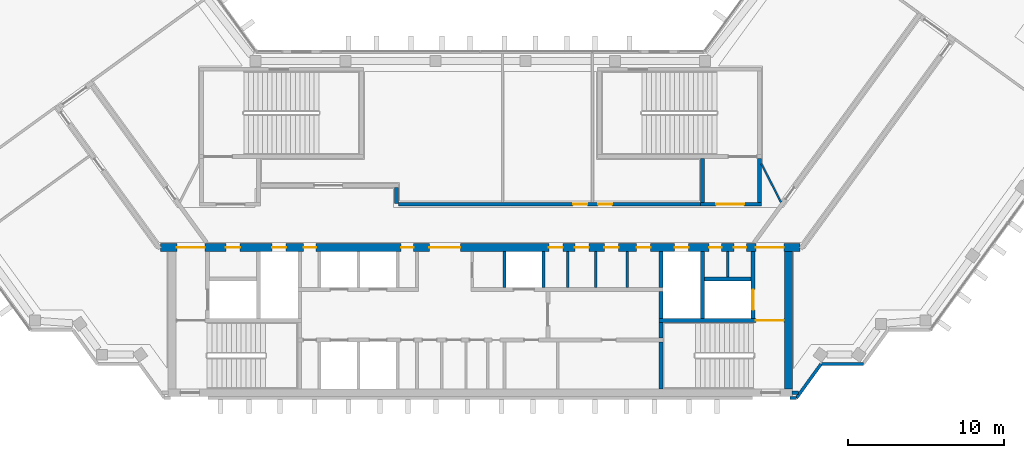
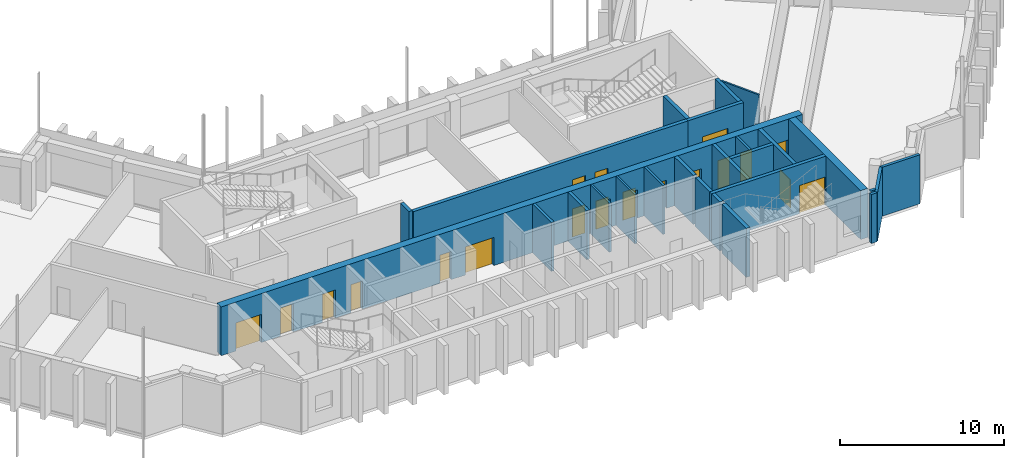
# One storey, part 10 of 13: 26 walls, 19 doors, 19 openings.
"""IFC4 building model written with IfcOpenShell, lengths in metres."""

from ifc_helpers import new_model, si_unit, direction, frame, frame_2d, origin, place, context, subcontext, project, spatial, rectangle, extrude, material, layer, layer_set, type_object, element, fill, save


model = new_model("IFC4")

# Units and contexts
model_context = context("Model", 3, precision=1e-05, world=origin(), true_north=direction((0.0, 1.0)))
body_context = subcontext(model_context, "Body", "Model", "MODEL_VIEW")
ifc_project = project(units=[si_unit("LENGTHUNIT", "METRE"), si_unit("AREAUNIT", "SQUARE_METRE"), si_unit("VOLUMEUNIT", "CUBIC_METRE"), si_unit("PLANEANGLEUNIT", "RADIAN"), si_unit("MASSUNIT", "GRAM", prefix="KILO")], contexts=[model_context])

# Site, building, storey
site_placement = place(None, origin())
site = spatial("IfcSite", under=ifc_project, at=site_placement, CompositionType="ELEMENT")
building_placement = place(site_placement, origin())
building = spatial("IfcBuilding", under=site, at=building_placement, Name="Quipu Civic Tower", CompositionType="ELEMENT")
storey_placement = place(building_placement, frame((0.0, 0.0, 285.0)))
storey = spatial("IfcBuildingStorey", under=building, at=storey_placement, Name="L66", CompositionType="ELEMENT", Elevation=285.0)

# Walls
ifc_material_1 = material(Name="Concrete C70/85", Category="concrete")
ifc_layer_1 = layer(ifc_material_1, 0.25)
ifc_layer_set_1 = layer_set([ifc_layer_1], Name="Concrete C70/85")
wall_type_1 = type_object("IfcWallType", Name="Core wall 250", PredefinedType="SHEAR", material=ifc_layer_set_1)
wall_1_placement = place(storey_placement, frame((11.574951171875, -10.5, 0.0), z_axis=(0.0, 0.0, 1.0), x_axis=(0.0, 1.0, 0.0)))
element("IfcWall", 1, at=wall_1_placement, inside=storey, type_object=wall_type_1, Name="Core wall", PredefinedType="SHEAR", context=body_context, shape_type="SweptSolid", body=[
    extrude(rectangle(XDim=3.0, YDim=0.25, at=frame_2d((1.5, 0.0))), origin(), (0.0, 0.0, 1.0), 3.64990234375),
])
wall_2_placement = place(storey_placement, frame((11.574951171875, -7.25, 0.0), z_axis=(0.0, 0.0, 1.0), x_axis=(0.0, 1.0, 0.0)))
element("IfcWall", 2, at=wall_2_placement, inside=storey, type_object=wall_type_1, Name="Core wall", PredefinedType="SHEAR", context=body_context, shape_type="SweptSolid", body=[
    extrude(rectangle(XDim=1.0, YDim=0.25, at=frame_2d((0.5, 0.0))), origin(), (0.0, 0.0, 1.0), 3.64990234375),
])

# Wall, opening, door
wall_3_placement = place(storey_placement, frame((19.5, -6.125, 0.0), z_axis=(0.0, 0.0, 1.0), x_axis=(-1.0, 0.0, 0.0)))
wall_3 = element("IfcWall", 3, at=wall_3_placement, inside=storey, type_object=wall_type_1, Name="Core wall", PredefinedType="SHEAR", context=body_context, shape_type="SweptSolid", body=[
    extrude(rectangle(XDim=8.050048828125, YDim=0.25, at=frame_2d((4.02490234375, 0.0))), origin(), (0.0, 0.0, 1.0), 3.64990234375),
])
opening_1_placement = place(wall_3_placement, frame((0.050048828125, 0.0, 0.0)))
opening_1 = element("IfcOpeningElement", 4, at=opening_1_placement, cuts=wall_3, Name="Opening CD-10", PredefinedType="OPENING", context=body_context, shape_type="SweptSolid", body=[
    extrude(rectangle(XDim=1.800048828125, YDim=2.10009765625, at=frame_2d((0.89990234375, 1.050048828125))), frame((0.0, 0.135009765625, 0.0), z_axis=(0.0, -1.0, 0.0), x_axis=(1.0, 0.0, 0.0)), (0.0, 0.0, 1.0), 0.27001953125),
])
ifc_material_2 = material(Name="Fire rated steel door", Category="steel")
door_type_1 = type_object("IfcDoorType", Name="Fire door FD90 double 1800 x 2100", OperationType="NOTDEFINED", PredefinedType="DOOR", material=ifc_material_2)
door_1_placement = place(opening_1_placement, origin())
door_1 = element("IfcDoor", 5, at=door_1_placement, inside=storey, type_object=door_type_1, Name="Door", OperationType="DOUBLE_DOOR_SINGLE_SWING", OverallHeight=2.10009765625, OverallWidth=1.800048828125, PredefinedType="DOOR", context=body_context, shape_type="SweptSolid", body=[
    extrude(rectangle(XDim=1.800048828125, YDim=2.10009765625, at=frame_2d((0.89990234375, 1.050048828125))), frame((0.0, 0.02490234375, 0.0), z_axis=(0.0, -1.0, 0.0), x_axis=(1.0, 0.0, 0.0)), (0.0, 0.0, 1.0), 0.050048828125),
])
fill(opening_1, door_1)

# Walls
wall_4_placement = place(storey_placement, frame((11.574951171875, -6.0, 0.0), z_axis=(0.0, 0.0, 1.0), x_axis=(0.0, 1.0, 0.0)))
element("IfcWall", 6, at=wall_4_placement, inside=storey, type_object=wall_type_1, Name="Core wall", PredefinedType="SHEAR", context=body_context, shape_type="SweptSolid", body=[
    extrude(rectangle(XDim=1.75, YDim=0.25, at=frame_2d((0.875, 0.0))), origin(), (0.0, 0.0, 1.0), 3.64990234375),
])
wall_5_placement = place(storey_placement, frame((14.22509765625, -6.0, 0.0), z_axis=(0.0, 0.0, 1.0), x_axis=(0.0, 1.0, 0.0)))
element("IfcWall", 7, at=wall_5_placement, inside=storey, type_object=wall_type_1, Name="Core wall", PredefinedType="SHEAR", context=body_context, shape_type="SweptSolid", body=[
    extrude(rectangle(XDim=4.300048828125, YDim=0.25, at=frame_2d((2.14990234375, 0.0))), origin(), (0.0, 0.0, 1.0), 3.64990234375),
])

# Wall, opening, door
wall_6_placement = place(storey_placement, frame((17.47509765625, -6.0, 0.0), z_axis=(0.0, 0.0, 1.0), x_axis=(0.0, 1.0, 0.0)))
wall_6 = element("IfcWall", 8, at=wall_6_placement, inside=storey, type_object=wall_type_1, Name="Core wall", PredefinedType="SHEAR", context=body_context, shape_type="SweptSolid", body=[
    extrude(rectangle(XDim=4.300048828125, YDim=0.25, at=frame_2d((2.14990234375, 0.0))), origin(), (0.0, 0.0, 1.0), 3.64990234375),
])
opening_2_placement = place(wall_6_placement, frame((0.550048828125, 0.0, 0.0)))
opening_2 = element("IfcOpeningElement", 9, at=opening_2_placement, cuts=wall_6, Name="Opening LD-FF2", PredefinedType="OPENING", context=body_context, shape_type="SweptSolid", body=[
    extrude(rectangle(XDim=1.300048828125, YDim=2.10009765625, at=frame_2d((0.64990234375, 1.050048828125))), frame((0.0, 0.135009765625, 0.0), z_axis=(0.0, -1.0, 0.0), x_axis=(1.0, 0.0, 0.0)), (0.0, 0.0, 1.0), 0.27001953125),
])
ifc_material_3 = material(Name="Stainless steel", Category="steel")
door_type_2 = type_object("IfcDoorType", Name="Lift landing door 1300 x 2100", OperationType="DOUBLE_DOOR_SLIDING", PredefinedType="DOOR", material=ifc_material_3)
door_2_placement = place(opening_2_placement, origin())
door_2 = element("IfcDoor", 10, at=door_2_placement, inside=storey, type_object=door_type_2, Name="Landing door FF2", OperationType="DOUBLE_DOOR_SLIDING", OverallHeight=2.10009765625, OverallWidth=1.300048828125, PredefinedType="DOOR", context=body_context, shape_type="SweptSolid", body=[
    extrude(rectangle(XDim=1.300048828125, YDim=2.10009765625, at=frame_2d((0.64990234375, 1.050048828125))), frame((0.0, 0.02490234375, 0.0), z_axis=(0.0, -1.0, 0.0), x_axis=(1.0, 0.0, 0.0)), (0.0, 0.0, 1.0), 0.050048828125),
])
fill(opening_2, door_2)

# Walls
wall_7_placement = place(storey_placement, frame((11.574951171875, -4.0, 0.0), z_axis=(0.0, 0.0, 1.0), x_axis=(0.0, 1.0, 0.0)))
element("IfcWall", 11, at=wall_7_placement, inside=storey, type_object=wall_type_1, Name="Core wall", PredefinedType="SHEAR", context=body_context, shape_type="SweptSolid", body=[
    extrude(rectangle(XDim=2.300048828125, YDim=0.25, at=frame_2d((1.14990234375, 0.0))), origin(), (0.0, 0.0, 1.0), 3.64990234375),
])
wall_8_placement = place(storey_placement, frame((14.35009765625, -3.47509765625, 0.0), z_axis=(0.0, 0.0, 1.0), x_axis=(1.0, 0.0, 0.0)))
element("IfcWall", 12, at=wall_8_placement, inside=storey, type_object=wall_type_1, Name="Core wall", PredefinedType="SHEAR", context=body_context, shape_type="SweptSolid", body=[
    extrude(rectangle(XDim=3.0, YDim=0.25, at=frame_2d((1.5, 0.0))), origin(), (0.0, 0.0, 1.0), 3.64990234375),
])

# Wall, opening, door
wall_9_placement = place(storey_placement, frame((14.10009765625, 1.324951171875, 0.0), z_axis=(0.0, 0.0, 1.0), x_axis=(1.0, 0.0, 0.0)))
wall_9 = element("IfcWall", 13, at=wall_9_placement, inside=storey, type_object=wall_type_1, Name="Core wall", PredefinedType="SHEAR", context=body_context, shape_type="SweptSolid", body=[
    extrude(rectangle(XDim=3.89990234375, YDim=0.25, at=frame_2d((1.949951171875, 0.0))), origin(), (0.0, 0.0, 1.0), 3.64990234375),
])
opening_3_placement = place(wall_9_placement, frame((1.0, 0.0, 0.0)))
opening_3 = element("IfcOpeningElement", 14, at=opening_3_placement, cuts=wall_9, Name="Opening CD-29", PredefinedType="OPENING", context=body_context, shape_type="SweptSolid", body=[
    extrude(rectangle(XDim=1.800048828125, YDim=2.10009765625, at=frame_2d((0.89990234375, 1.050048828125))), frame((0.0, 0.135009765625, 0.0), z_axis=(0.0, -1.0, 0.0), x_axis=(1.0, 0.0, 0.0)), (0.0, 0.0, 1.0), 0.27001953125),
])
door_3_placement = place(opening_3_placement, origin())
door_3 = element("IfcDoor", 15, at=door_3_placement, inside=storey, type_object=door_type_1, Name="Lobby door", OperationType="DOUBLE_DOOR_SINGLE_SWING", OverallHeight=2.10009765625, OverallWidth=1.800048828125, PredefinedType="DOOR", context=body_context, shape_type="SweptSolid", body=[
    extrude(rectangle(XDim=1.800048828125, YDim=2.10009765625, at=frame_2d((0.89990234375, 1.050048828125))), frame((0.0, 0.02490234375, 0.0), z_axis=(0.0, -1.0, 0.0), x_axis=(1.0, 0.0, 0.0)), (0.0, 0.0, 1.0), 0.050048828125),
])
fill(opening_3, door_3)

# Walls
for number, where, z_axis, x_axis, name in (
    (16, (14.22509765625, 1.449951171875, 0.0), (0.0, 0.0, 1.0), (0.0, 1.0, 0.0), "Core wall"),
    (17, (17.875, 1.449951171875, 0.0), (0.0, 0.0, 1.0), (0.0, 1.0, 0.0), "Core wall"),
):
    element("IfcWall", number, at=place(storey_placement, frame(where, z_axis=z_axis, x_axis=x_axis)), inside=storey, type_object=wall_type_1, Name=name, PredefinedType="SHEAR", context=body_context, shape_type="SweptSolid", body=[
        extrude(rectangle(XDim=2.800048828125, YDim=0.25, at=frame_2d((1.39990234375, 0.0))), origin(), (0.0, 0.0, 1.0), 3.64990234375),
    ])
ifc_material_4 = material(Name="Concrete C70/85", Category="concrete")
ifc_layer_2 = layer(ifc_material_4, 0.5)
ifc_layer_set_2 = layer_set([ifc_layer_2], Name="Concrete C70/85")
wall_type_2 = type_object("IfcWallType", Name="Core wall 500", PredefinedType="SHEAR", material=ifc_layer_set_2)
wall_10_placement = place(storey_placement, frame((19.75, -10.5, 0.0), z_axis=(0.0, 0.0, 1.0), x_axis=(0.0, 1.0, 0.0)))
element("IfcWall", 18, at=wall_10_placement, inside=storey, type_object=wall_type_2, Name="Core wall", PredefinedType="SHEAR", context=body_context, shape_type="SweptSolid", body=[
    extrude(rectangle(XDim=8.800048828125, YDim=0.5, at=frame_2d((4.39990234375, 0.0))), origin(), (0.0, 0.0, 1.0), 3.64990234375),
])

# Wall, openings, doors
wall_11_placement = place(storey_placement, frame((20.489990234375, -1.449951171875, 0.0), z_axis=(0.0, 0.0, 1.0), x_axis=(-1.0, 0.0, 0.0)))
wall_11 = element("IfcWall", 19, at=wall_11_placement, inside=storey, type_object=wall_type_2, Name="Core wall", PredefinedType="SHEAR", context=body_context, shape_type="SweptSolid", body=[
    extrude(rectangle(XDim=40.97998046875, YDim=0.5, at=frame_2d((20.489990234375, 0.0))), origin(), (0.0, 0.0, 1.0), 3.64990234375),
])
opening_4_placement = place(wall_11_placement, frame((38.139892578125, 0.0, 0.0)))
opening_4 = element("IfcOpeningElement", 20, at=opening_4_placement, cuts=wall_11, Name="Opening CD-13", PredefinedType="OPENING", context=body_context, shape_type="SweptSolid", body=[
    extrude(rectangle(XDim=1.800048828125, YDim=2.10009765625, at=frame_2d((0.89990234375, 1.050048828125))), frame((0.0, 0.260009765625, 0.0), z_axis=(0.0, -1.0, 0.0), x_axis=(1.0, 0.0, 0.0)), (0.0, 0.0, 1.0), 0.52001953125),
])
opening_5_placement = place(wall_11_placement, frame((35.889892578125, 0.0, 0.0)))
opening_5 = element("IfcOpeningElement", 21, at=opening_5_placement, cuts=wall_11, Name="Opening CD-14", PredefinedType="OPENING", context=body_context, shape_type="SweptSolid", body=[
    extrude(rectangle(XDim=0.89990234375, YDim=2.10009765625, at=frame_2d((0.449951171875, 1.050048828125))), frame((0.0, 0.260009765625, 0.0), z_axis=(0.0, -1.0, 0.0), x_axis=(1.0, 0.0, 0.0)), (0.0, 0.0, 1.0), 0.52001953125),
])
opening_6_placement = place(wall_11_placement, frame((32.93994140625, 0.0, 0.0)))
opening_6 = element("IfcOpeningElement", 22, at=opening_6_placement, cuts=wall_11, Name="Opening CD-15", PredefinedType="OPENING", context=body_context, shape_type="SweptSolid", body=[
    extrude(rectangle(XDim=0.89990234375, YDim=2.10009765625, at=frame_2d((0.449951171875, 1.050048828125))), frame((0.0, 0.260009765625, 0.0), z_axis=(0.0, -1.0, 0.0), x_axis=(1.0, 0.0, 0.0)), (0.0, 0.0, 1.0), 0.52001953125),
])
opening_7_placement = place(wall_11_placement, frame((31.014892578125, 0.0, 0.0)))
opening_7 = element("IfcOpeningElement", 23, at=opening_7_placement, cuts=wall_11, Name="Opening CD-16", PredefinedType="OPENING", context=body_context, shape_type="SweptSolid", body=[
    extrude(rectangle(XDim=0.800048828125, YDim=2.10009765625, at=frame_2d((0.39990234375, 1.050048828125))), frame((0.0, 0.260009765625, 0.0), z_axis=(0.0, -1.0, 0.0), x_axis=(1.0, 0.0, 0.0)), (0.0, 0.0, 1.0), 0.52001953125),
])
opening_8_placement = place(wall_11_placement, frame((24.764892578125, 0.0, 0.0)))
opening_8 = element("IfcOpeningElement", 24, at=opening_8_placement, cuts=wall_11, Name="Opening CD-17", PredefinedType="OPENING", context=body_context, shape_type="SweptSolid", body=[
    extrude(rectangle(XDim=0.800048828125, YDim=2.10009765625, at=frame_2d((0.39990234375, 1.050048828125))), frame((0.0, 0.260009765625, 0.0), z_axis=(0.0, -1.0, 0.0), x_axis=(1.0, 0.0, 0.0)), (0.0, 0.0, 1.0), 0.52001953125),
])
opening_9_placement = place(wall_11_placement, frame((21.764892578125, 0.0, 0.0)))
opening_9 = element("IfcOpeningElement", 25, at=opening_9_placement, cuts=wall_11, Name="Opening CD-18", PredefinedType="OPENING", context=body_context, shape_type="SweptSolid", body=[
    extrude(rectangle(XDim=2.0, YDim=2.10009765625, at=frame_2d((1.0, 1.050048828125))), frame((0.0, 0.260009765625, 0.0), z_axis=(0.0, -1.0, 0.0), x_axis=(1.0, 0.0, 0.0)), (0.0, 0.0, 1.0), 0.52001953125),
])
opening_10_placement = place(wall_11_placement, frame((15.202392578125, 0.0, 0.0)))
opening_10 = element("IfcOpeningElement", 26, at=opening_10_placement, cuts=wall_11, Name="Opening CD-19", PredefinedType="OPENING", context=body_context, shape_type="SweptSolid", body=[
    extrude(rectangle(XDim=0.89990234375, YDim=2.10009765625, at=frame_2d((0.449951171875, 1.050048828125))), frame((0.0, 0.260009765625, 0.0), z_axis=(0.0, -1.0, 0.0), x_axis=(1.0, 0.0, 0.0)), (0.0, 0.0, 1.0), 0.52001953125),
])
opening_11_placement = place(wall_11_placement, frame((13.5400390625, 0.0, 0.0)))
opening_11 = element("IfcOpeningElement", 27, at=opening_11_placement, cuts=wall_11, Name="Opening CD-20", PredefinedType="OPENING", context=body_context, shape_type="SweptSolid", body=[
    extrude(rectangle(XDim=0.89990234375, YDim=2.10009765625, at=frame_2d((0.449951171875, 1.050048828125))), frame((0.0, 0.260009765625, 0.0), z_axis=(0.0, -1.0, 0.0), x_axis=(1.0, 0.0, 0.0)), (0.0, 0.0, 1.0), 0.52001953125),
])
opening_12_placement = place(wall_11_placement, frame((11.639892578125, 0.0, 0.0)))
opening_12 = element("IfcOpeningElement", 28, at=opening_12_placement, cuts=wall_11, Name="Opening CD-21", PredefinedType="OPENING", context=body_context, shape_type="SweptSolid", body=[
    extrude(rectangle(XDim=0.89990234375, YDim=2.10009765625, at=frame_2d((0.449951171875, 1.050048828125))), frame((0.0, 0.260009765625, 0.0), z_axis=(0.0, -1.0, 0.0), x_axis=(1.0, 0.0, 0.0)), (0.0, 0.0, 1.0), 0.52001953125),
])
opening_13_placement = place(wall_11_placement, frame((9.577392578125, 0.0, 0.0)))
opening_13 = element("IfcOpeningElement", 29, at=opening_13_placement, cuts=wall_11, Name="Opening CD-22", PredefinedType="OPENING", context=body_context, shape_type="SweptSolid", body=[
    extrude(rectangle(XDim=0.89990234375, YDim=2.10009765625, at=frame_2d((0.449951171875, 1.050048828125))), frame((0.0, 0.260009765625, 0.0), z_axis=(0.0, -1.0, 0.0), x_axis=(1.0, 0.0, 0.0)), (0.0, 0.0, 1.0), 0.52001953125),
])
opening_14_placement = place(wall_11_placement, frame((7.139892578125, 0.0, 0.0)))
opening_14 = element("IfcOpeningElement", 30, at=opening_14_placement, cuts=wall_11, Name="Opening CD-23", PredefinedType="OPENING", context=body_context, shape_type="SweptSolid", body=[
    extrude(rectangle(XDim=0.89990234375, YDim=2.10009765625, at=frame_2d((0.449951171875, 1.050048828125))), frame((0.0, 0.260009765625, 0.0), z_axis=(0.0, -1.0, 0.0), x_axis=(1.0, 0.0, 0.0)), (0.0, 0.0, 1.0), 0.52001953125),
])
opening_15_placement = place(wall_11_placement, frame((5.027587890625, 0.0, 0.0)))
opening_15 = element("IfcOpeningElement", 31, at=opening_15_placement, cuts=wall_11, Name="Opening CD-24", PredefinedType="OPENING", context=body_context, shape_type="SweptSolid", body=[
    extrude(rectangle(XDim=0.800048828125, YDim=2.10009765625, at=frame_2d((0.39990234375, 1.050048828125))), frame((0.0, 0.260009765625, 0.0), z_axis=(0.0, -1.0, 0.0), x_axis=(1.0, 0.0, 0.0)), (0.0, 0.0, 1.0), 0.52001953125),
])
opening_16_placement = place(wall_11_placement, frame((3.452392578125, 0.0, 0.0)))
opening_16 = element("IfcOpeningElement", 32, at=opening_16_placement, cuts=wall_11, Name="Opening CD-25", PredefinedType="OPENING", context=body_context, shape_type="SweptSolid", body=[
    extrude(rectangle(XDim=0.800048828125, YDim=2.10009765625, at=frame_2d((0.39990234375, 1.050048828125))), frame((0.0, 0.260009765625, 0.0), z_axis=(0.0, -1.0, 0.0), x_axis=(1.0, 0.0, 0.0)), (0.0, 0.0, 1.0), 0.52001953125),
])
opening_17_placement = place(wall_11_placement, frame((1.0400390625, 0.0, 0.0)))
opening_17 = element("IfcOpeningElement", 33, at=opening_17_placement, cuts=wall_11, Name="Opening CD-26", PredefinedType="OPENING", context=body_context, shape_type="SweptSolid", body=[
    extrude(rectangle(XDim=1.800048828125, YDim=2.10009765625, at=frame_2d((0.89990234375, 1.050048828125))), frame((0.0, 0.260009765625, 0.0), z_axis=(0.0, -1.0, 0.0), x_axis=(1.0, 0.0, 0.0)), (0.0, 0.0, 1.0), 0.52001953125),
])
ifc_material_5 = material(Name="Fire rated steel door", Category="steel")
door_type_3 = type_object("IfcDoorType", Name="Fire door FD60 800 x 2100", OperationType="NOTDEFINED", PredefinedType="DOOR", material=ifc_material_5)
door_4_placement = place(opening_7_placement, origin())
door_4 = element("IfcDoor", 34, at=door_4_placement, inside=storey, type_object=door_type_3, Name="Door", OperationType="SINGLE_SWING_RIGHT", OverallHeight=2.10009765625, OverallWidth=0.800048828125, PredefinedType="DOOR", context=body_context, shape_type="SweptSolid", body=[
    extrude(rectangle(XDim=0.800048828125, YDim=2.10009765625, at=frame_2d((0.39990234375, 1.050048828125))), frame((0.0, 0.02490234375, 0.0), z_axis=(0.0, -1.0, 0.0), x_axis=(1.0, 0.0, 0.0)), (0.0, 0.0, 1.0), 0.050048828125),
])
fill(opening_7, door_4)
door_5_placement = place(opening_8_placement, origin())
door_5 = element("IfcDoor", 35, at=door_5_placement, inside=storey, type_object=door_type_3, Name="Door", OperationType="SINGLE_SWING_RIGHT", OverallHeight=2.10009765625, OverallWidth=0.800048828125, PredefinedType="DOOR", context=body_context, shape_type="SweptSolid", body=[
    extrude(rectangle(XDim=0.800048828125, YDim=2.10009765625, at=frame_2d((0.39990234375, 1.050048828125))), frame((0.0, 0.02490234375, 0.0), z_axis=(0.0, -1.0, 0.0), x_axis=(1.0, 0.0, 0.0)), (0.0, 0.0, 1.0), 0.050048828125),
])
fill(opening_8, door_5)
door_6_placement = place(opening_15_placement, origin())
door_6 = element("IfcDoor", 36, at=door_6_placement, inside=storey, type_object=door_type_3, Name="Door", OperationType="SINGLE_SWING_LEFT", OverallHeight=2.10009765625, OverallWidth=0.800048828125, PredefinedType="DOOR", context=body_context, shape_type="SweptSolid", body=[
    extrude(rectangle(XDim=0.800048828125, YDim=2.10009765625, at=frame_2d((0.39990234375, 1.050048828125))), frame((0.0, 0.02490234375, 0.0), z_axis=(0.0, -1.0, 0.0), x_axis=(1.0, 0.0, 0.0)), (0.0, 0.0, 1.0), 0.050048828125),
])
fill(opening_15, door_6)
door_7_placement = place(opening_16_placement, origin())
door_7 = element("IfcDoor", 37, at=door_7_placement, inside=storey, type_object=door_type_3, Name="Door", OperationType="SINGLE_SWING_LEFT", OverallHeight=2.10009765625, OverallWidth=0.800048828125, PredefinedType="DOOR", context=body_context, shape_type="SweptSolid", body=[
    extrude(rectangle(XDim=0.800048828125, YDim=2.10009765625, at=frame_2d((0.39990234375, 1.050048828125))), frame((0.0, 0.02490234375, 0.0), z_axis=(0.0, -1.0, 0.0), x_axis=(1.0, 0.0, 0.0)), (0.0, 0.0, 1.0), 0.050048828125),
])
fill(opening_16, door_7)
ifc_material_6 = material(Name="Fire rated steel door", Category="steel")
door_type_4 = type_object("IfcDoorType", Name="Fire door FD60 900 x 2100", OperationType="NOTDEFINED", PredefinedType="DOOR", material=ifc_material_6)
door_8_placement = place(opening_5_placement, origin())
door_8 = element("IfcDoor", 38, at=door_8_placement, inside=storey, type_object=door_type_4, Name="Door", OperationType="SINGLE_SWING_RIGHT", OverallHeight=2.10009765625, OverallWidth=0.89990234375, PredefinedType="DOOR", context=body_context, shape_type="SweptSolid", body=[
    extrude(rectangle(XDim=0.89990234375, YDim=2.10009765625, at=frame_2d((0.449951171875, 1.050048828125))), frame((0.0, 0.02490234375, 0.0), z_axis=(0.0, -1.0, 0.0), x_axis=(1.0, 0.0, 0.0)), (0.0, 0.0, 1.0), 0.050048828125),
])
fill(opening_5, door_8)
door_9_placement = place(opening_6_placement, origin())
door_9 = element("IfcDoor", 39, at=door_9_placement, inside=storey, type_object=door_type_4, Name="Riser door", OperationType="SINGLE_SWING_RIGHT", OverallHeight=2.10009765625, OverallWidth=0.89990234375, PredefinedType="DOOR", context=body_context, shape_type="SweptSolid", body=[
    extrude(rectangle(XDim=0.89990234375, YDim=2.10009765625, at=frame_2d((0.449951171875, 1.050048828125))), frame((0.0, 0.02490234375, 0.0), z_axis=(0.0, -1.0, 0.0), x_axis=(1.0, 0.0, 0.0)), (0.0, 0.0, 1.0), 0.050048828125),
])
fill(opening_6, door_9)
door_10_placement = place(opening_10_placement, origin())
door_10 = element("IfcDoor", 40, at=door_10_placement, inside=storey, type_object=door_type_4, Name="Door", OperationType="SINGLE_SWING_LEFT", OverallHeight=2.10009765625, OverallWidth=0.89990234375, PredefinedType="DOOR", context=body_context, shape_type="SweptSolid", body=[
    extrude(rectangle(XDim=0.89990234375, YDim=2.10009765625, at=frame_2d((0.449951171875, 1.050048828125))), frame((0.0, 0.02490234375, 0.0), z_axis=(0.0, -1.0, 0.0), x_axis=(1.0, 0.0, 0.0)), (0.0, 0.0, 1.0), 0.050048828125),
])
fill(opening_10, door_10)
door_11_placement = place(opening_11_placement, origin())
door_11 = element("IfcDoor", 41, at=door_11_placement, inside=storey, type_object=door_type_4, Name="Door", OperationType="SINGLE_SWING_LEFT", OverallHeight=2.10009765625, OverallWidth=0.89990234375, PredefinedType="DOOR", context=body_context, shape_type="SweptSolid", body=[
    extrude(rectangle(XDim=0.89990234375, YDim=2.10009765625, at=frame_2d((0.449951171875, 1.050048828125))), frame((0.0, 0.02490234375, 0.0), z_axis=(0.0, -1.0, 0.0), x_axis=(1.0, 0.0, 0.0)), (0.0, 0.0, 1.0), 0.050048828125),
])
fill(opening_11, door_11)
door_12_placement = place(opening_12_placement, origin())
door_12 = element("IfcDoor", 42, at=door_12_placement, inside=storey, type_object=door_type_4, Name="Door", OperationType="SINGLE_SWING_LEFT", OverallHeight=2.10009765625, OverallWidth=0.89990234375, PredefinedType="DOOR", context=body_context, shape_type="SweptSolid", body=[
    extrude(rectangle(XDim=0.89990234375, YDim=2.10009765625, at=frame_2d((0.449951171875, 1.050048828125))), frame((0.0, 0.02490234375, 0.0), z_axis=(0.0, -1.0, 0.0), x_axis=(1.0, 0.0, 0.0)), (0.0, 0.0, 1.0), 0.050048828125),
])
fill(opening_12, door_12)
door_13_placement = place(opening_13_placement, origin())
door_13 = element("IfcDoor", 43, at=door_13_placement, inside=storey, type_object=door_type_4, Name="Door", OperationType="SINGLE_SWING_LEFT", OverallHeight=2.10009765625, OverallWidth=0.89990234375, PredefinedType="DOOR", context=body_context, shape_type="SweptSolid", body=[
    extrude(rectangle(XDim=0.89990234375, YDim=2.10009765625, at=frame_2d((0.449951171875, 1.050048828125))), frame((0.0, 0.02490234375, 0.0), z_axis=(0.0, -1.0, 0.0), x_axis=(1.0, 0.0, 0.0)), (0.0, 0.0, 1.0), 0.050048828125),
])
fill(opening_13, door_13)
door_14_placement = place(opening_14_placement, origin())
door_14 = element("IfcDoor", 44, at=door_14_placement, inside=storey, type_object=door_type_4, Name="Riser door", OperationType="SINGLE_SWING_LEFT", OverallHeight=2.10009765625, OverallWidth=0.89990234375, PredefinedType="DOOR", context=body_context, shape_type="SweptSolid", body=[
    extrude(rectangle(XDim=0.89990234375, YDim=2.10009765625, at=frame_2d((0.449951171875, 1.050048828125))), frame((0.0, 0.02490234375, 0.0), z_axis=(0.0, -1.0, 0.0), x_axis=(1.0, 0.0, 0.0)), (0.0, 0.0, 1.0), 0.050048828125),
])
fill(opening_14, door_14)
door_15_placement = place(opening_4_placement, origin())
door_15 = element("IfcDoor", 45, at=door_15_placement, inside=storey, type_object=door_type_1, Name="Lobby door", OperationType="DOUBLE_DOOR_SINGLE_SWING", OverallHeight=2.10009765625, OverallWidth=1.800048828125, PredefinedType="DOOR", context=body_context, shape_type="SweptSolid", body=[
    extrude(rectangle(XDim=1.800048828125, YDim=2.10009765625, at=frame_2d((0.89990234375, 1.050048828125))), frame((0.0, 0.02490234375, 0.0), z_axis=(0.0, -1.0, 0.0), x_axis=(1.0, 0.0, 0.0)), (0.0, 0.0, 1.0), 0.050048828125),
])
fill(opening_4, door_15)
door_16_placement = place(opening_17_placement, origin())
door_16 = element("IfcDoor", 46, at=door_16_placement, inside=storey, type_object=door_type_1, Name="Lobby door", OperationType="DOUBLE_DOOR_SINGLE_SWING", OverallHeight=2.10009765625, OverallWidth=1.800048828125, PredefinedType="DOOR", context=body_context, shape_type="SweptSolid", body=[
    extrude(rectangle(XDim=1.800048828125, YDim=2.10009765625, at=frame_2d((0.89990234375, 1.050048828125))), frame((0.0, 0.02490234375, 0.0), z_axis=(0.0, -1.0, 0.0), x_axis=(1.0, 0.0, 0.0)), (0.0, 0.0, 1.0), 0.050048828125),
])
fill(opening_17, door_16)
ifc_material_7 = material(Name="Fire rated steel door", Category="steel")
door_type_5 = type_object("IfcDoorType", Name="Fire door FD90 double 2000 x 2100", OperationType="NOTDEFINED", PredefinedType="DOOR", material=ifc_material_7)
door_17_placement = place(opening_9_placement, origin())
door_17 = element("IfcDoor", 47, at=door_17_placement, inside=storey, type_object=door_type_5, Name="Lobby door", OperationType="DOUBLE_DOOR_SINGLE_SWING", OverallHeight=2.10009765625, OverallWidth=2.0, PredefinedType="DOOR", context=body_context, shape_type="SweptSolid", body=[
    extrude(rectangle(XDim=2.0, YDim=2.10009765625, at=frame_2d((1.0, 1.050048828125))), frame((0.0, 0.02490234375, 0.0), z_axis=(0.0, -1.0, 0.0), x_axis=(1.0, 0.0, 0.0)), (0.0, 0.0, 1.0), 0.050048828125),
])
fill(opening_9, door_17)

# Wall
ifc_material_8 = material(Name="Concrete C50/60", Category="concrete")
ifc_layer_3 = layer(ifc_material_8, 0.25)
ifc_layer_set_3 = layer_set([ifc_layer_3], Name="Concrete C50/60")
wall_type_3 = type_object("IfcWallType", Name="Corridor wall 250 concrete", PredefinedType="SOLIDWALL", material=ifc_layer_set_3)
wall_12_placement = place(storey_placement, frame((-5.375, 2.39990234375, 0.0), z_axis=(0.0, 0.0, 1.0), x_axis=(0.0, -1.0, 0.0)))
element("IfcWall", 48, at=wall_12_placement, inside=storey, type_object=wall_type_3, Name="Corridor wall C08", PredefinedType="SOLIDWALL", context=body_context, shape_type="SweptSolid", body=[
    extrude(rectangle(XDim=1.041259765625, YDim=0.25, at=frame_2d((0.5205078125, 0.0))), origin(), (0.0, 0.0, 1.0), 3.64990234375),
])

# Wall, openings, doors
wall_13_placement = place(storey_placement, frame((-5.246337890625, 1.324951171875, 0.0), z_axis=(0.0, 0.0, 1.0), x_axis=(1.0, 0.0, 0.0)))
wall_13 = element("IfcWall", 49, at=wall_13_placement, inside=storey, type_object=wall_type_3, Name="Corridor wall C09", PredefinedType="SOLIDWALL", context=body_context, shape_type="SweptSolid", body=[
    extrude(rectangle(XDim=19.33642578125, YDim=0.25, at=frame_2d((9.668212890625, 0.0))), origin(), (0.0, 0.0, 1.0), 3.64990234375),
])
opening_18_placement = place(wall_13_placement, frame((11.1943359375, 0.0, 0.0)))
opening_18 = element("IfcOpeningElement", 50, at=opening_18_placement, cuts=wall_13, Name="Opening D005", PredefinedType="OPENING", context=body_context, shape_type="SweptSolid", body=[
    extrude(rectangle(XDim=0.89990234375, YDim=2.10009765625, at=frame_2d((0.449951171875, 1.050048828125))), frame((0.0, 0.135009765625, 0.0), z_axis=(0.0, -1.0, 0.0), x_axis=(1.0, 0.0, 0.0)), (0.0, 0.0, 1.0), 0.27001953125),
])
opening_19_placement = place(wall_13_placement, frame((12.794189453125, 0.0, 0.0)))
opening_19 = element("IfcOpeningElement", 51, at=opening_19_placement, cuts=wall_13, Name="Opening D006", PredefinedType="OPENING", context=body_context, shape_type="SweptSolid", body=[
    extrude(rectangle(XDim=0.89990234375, YDim=2.10009765625, at=frame_2d((0.449951171875, 1.050048828125))), frame((0.0, 0.135009765625, 0.0), z_axis=(0.0, -1.0, 0.0), x_axis=(1.0, 0.0, 0.0)), (0.0, 0.0, 1.0), 0.27001953125),
])
ifc_material_9 = material(Name="Fire rated timber door set with metal frame", Category="wood")
door_type_6 = type_object("IfcDoorType", Name="Single door 900 x 2100 FD60", OperationType="NOTDEFINED", PredefinedType="DOOR", material=ifc_material_9)
door_18_placement = place(opening_18_placement, origin())
door_18 = element("IfcDoor", 52, at=door_18_placement, inside=storey, type_object=door_type_6, Name="Door D005", OperationType="SINGLE_SWING_RIGHT", OverallHeight=2.10009765625, OverallWidth=0.89990234375, PredefinedType="DOOR", context=body_context, shape_type="SweptSolid", body=[
    extrude(rectangle(XDim=0.89990234375, YDim=2.10009765625, at=frame_2d((0.449951171875, 1.050048828125))), frame((0.0, 0.02490234375, 0.0), z_axis=(0.0, -1.0, 0.0), x_axis=(1.0, 0.0, 0.0)), (0.0, 0.0, 1.0), 0.050048828125),
])
fill(opening_18, door_18)
door_19_placement = place(opening_19_placement, origin())
door_19 = element("IfcDoor", 53, at=door_19_placement, inside=storey, type_object=door_type_6, Name="Door D006", OperationType="SINGLE_SWING_LEFT", OverallHeight=2.10009765625, OverallWidth=0.89990234375, PredefinedType="DOOR", context=body_context, shape_type="SweptSolid", body=[
    extrude(rectangle(XDim=0.89990234375, YDim=2.10009765625, at=frame_2d((0.449951171875, 1.050048828125))), frame((0.0, 0.02490234375, 0.0), z_axis=(0.0, -1.0, 0.0), x_axis=(1.0, 0.0, 0.0)), (0.0, 0.0, 1.0), 0.050048828125),
])
fill(opening_19, door_19)

# Walls
ifc_material_10 = material(Name="Gypsum plasterboard on light gauge framing")
ifc_layer_4 = layer(ifc_material_10, 0.1201171875)
ifc_layer_set_4 = layer_set([ifc_layer_4], Name="Gypsum plasterboard on light gauge framing")
wall_type_4 = type_object("IfcWallType", Name="Partition 120 plasterboard", PredefinedType="PARTITIONING", material=ifc_layer_set_4)
wall_14_placement = place(storey_placement, frame((18.0, 3.925048828125, 0.0), z_axis=(0.0, 0.0, 1.0), x_axis=(0.453950796792, -0.891026752736, 0.0)))
element("IfcWall", 54, at=wall_14_placement, inside=storey, type_object=wall_type_4, Name="Partition P08", PredefinedType="PARTITIONING", context=body_context, shape_type="SweptSolid", body=[
    extrude(rectangle(XDim=2.77783203125, YDim=0.1201171875, at=frame_2d((1.388916015625, 0.0))), origin(), (0.0, 0.0, 1.0), 3.64990234375),
])
ifc_material_11 = material(Name="Gypsum board partition")
ifc_layer_5 = layer(ifc_material_11, 0.14990234375)
ifc_layer_set_5 = layer_set([ifc_layer_5], Name="Gypsum board partition")
wall_type_5 = type_object("IfcWallType", Name="Partition 150", PredefinedType="PARTITIONING", material=ifc_layer_set_5)
for number, where, z_axis, x_axis, name in (
    (55, (5.60009765625, -4.0, 0.0), (0.0, 0.0, 1.0), (0.0, 1.0, 0.0), "Partition"),
    (56, (7.39990234375, -4.0, 0.0), (0.0, 0.0, 1.0), (0.0, 1.0, 0.0), "Partition"),
    (57, (9.39990234375, -4.0, 0.0), (0.0, 0.0, 1.0), (0.0, 1.0, 0.0), "Partition"),
):
    element("IfcWall", number, at=place(storey_placement, frame(where, z_axis=z_axis, x_axis=x_axis)), inside=storey, type_object=wall_type_5, Name=name, PredefinedType="PARTITIONING", context=body_context, shape_type="SweptSolid", body=[
        extrude(rectangle(XDim=2.300048828125, YDim=0.14990234375, at=frame_2d((1.14990234375, 0.0))), origin(), (0.0, 0.0, 1.0), 3.64990234375),
    ])
wall_15_placement = place(storey_placement, frame((15.85009765625, -3.35009765625, 0.0), z_axis=(0.0, 0.0, 1.0), x_axis=(0.0, 1.0, 0.0)))
element("IfcWall", 58, at=wall_15_placement, inside=storey, type_object=wall_type_5, Name="Partition", PredefinedType="PARTITIONING", context=body_context, shape_type="SweptSolid", body=[
    extrude(rectangle(XDim=1.650146484375, YDim=0.14990234375, at=frame_2d((0.8251953125, 0.0))), origin(), (0.0, 0.0, 1.0), 3.64990234375),
])
ifc_material_12 = material(Name="Precast concrete C40/50", Category="concrete")
wall_type_6 = type_object("IfcWallType", Name="Precast cladding wall", PredefinedType="SOLIDWALL", material=ifc_material_12)
wall_16_placement = place(storey_placement, frame((19.85009765625, -11.087890625, 0.0), z_axis=(0.0, 0.0, 1.0), x_axis=(1.0, 0.0, 0.0)))
element("IfcWall", 59, at=wall_16_placement, inside=storey, type_object=wall_type_6, Name="Precast cladding wall L66 P19", PredefinedType="SOLIDWALL", context=body_context, shape_type="SweptSolid", body=[
    extrude(rectangle(XDim=0.40576171875, YDim=0.199951171875, at=frame_2d((0.202880859375, 0.0))), origin(), (0.0, 0.0, 1.0), 3.64990234375),
])
wall_17_placement = place(storey_placement, frame((20.253173828125, -11.083251953125, 0.0), z_axis=(0.0, 0.0, 1.0), x_axis=(0.587766567315, 0.809030569476, 0.0)))
element("IfcWall", 60, at=wall_17_placement, inside=storey, type_object=wall_type_6, Name="Precast cladding wall L66 P20", PredefinedType="SOLIDWALL", context=body_context, shape_type="SweptSolid", body=[
    extrude(rectangle(XDim=2.687744140625, YDim=0.199951171875, at=frame_2d((1.34375, 0.0))), origin(), (0.0, 0.0, 1.0), 3.64990234375),
])
wall_18_placement = place(storey_placement, frame((21.8427734375, -8.90380859375, 0.0), z_axis=(0.0, 0.0, 1.0), x_axis=(1.0, 0.0, 0.0)))
element("IfcWall", 61, at=wall_18_placement, inside=storey, type_object=wall_type_6, Name="Precast cladding wall L66 P21", PredefinedType="SOLIDWALL", context=body_context, shape_type="SweptSolid", body=[
    extrude(rectangle(XDim=2.699951171875, YDim=0.199951171875, at=frame_2d((1.35009765625, 0.0))), origin(), (0.0, 0.0, 1.0), 3.64990234375),
])
wall_19_placement = place(storey_placement, frame((19.97998046875, -10.75, 0.0), z_axis=(0.0, 0.0, 1.0), x_axis=(1.0, 0.0, 0.0)))
element("IfcWall", 62, at=wall_19_placement, inside=storey, type_object=wall_type_6, Name="Precast cladding return L66 E", PredefinedType="SOLIDWALL", context=body_context, shape_type="SweptSolid", body=[
    extrude(rectangle(XDim=0.41650390625, YDim=0.199951171875, at=frame_2d((0.208251953125, 0.0))), origin(), (0.0, 0.0, 1.0), 3.64990234375),
])
ifc_material_13 = material(Name="Concrete C40/50", Category="concrete")
ifc_layer_6 = layer(ifc_material_13, 0.199951171875)
ifc_layer_set_6 = layer_set([ifc_layer_6], Name="Concrete C40/50")
wall_type_7 = type_object("IfcWallType", Name="Shaft wall 200", PredefinedType="SOLIDWALL", material=ifc_layer_set_6)
for number, where, z_axis, x_axis, name in (
    (63, (1.550048828125, -4.0, 0.0), (0.0, 0.0, 1.0), (0.0, 1.0, 0.0), "Shaft wall"),
    (64, (4.050048828125, -4.0, 0.0), (0.0, 0.0, 1.0), (0.0, 1.0, 0.0), "Shaft wall"),
):
    element("IfcWall", number, at=place(storey_placement, frame(where, z_axis=z_axis, x_axis=x_axis)), inside=storey, type_object=wall_type_7, Name=name, PredefinedType="SOLIDWALL", context=body_context, shape_type="SweptSolid", body=[
        extrude(rectangle(XDim=2.300048828125, YDim=0.199951171875, at=frame_2d((1.14990234375, 0.0))), origin(), (0.0, 0.0, 1.0), 3.64990234375),
    ])

save(model, "model.ifc")
